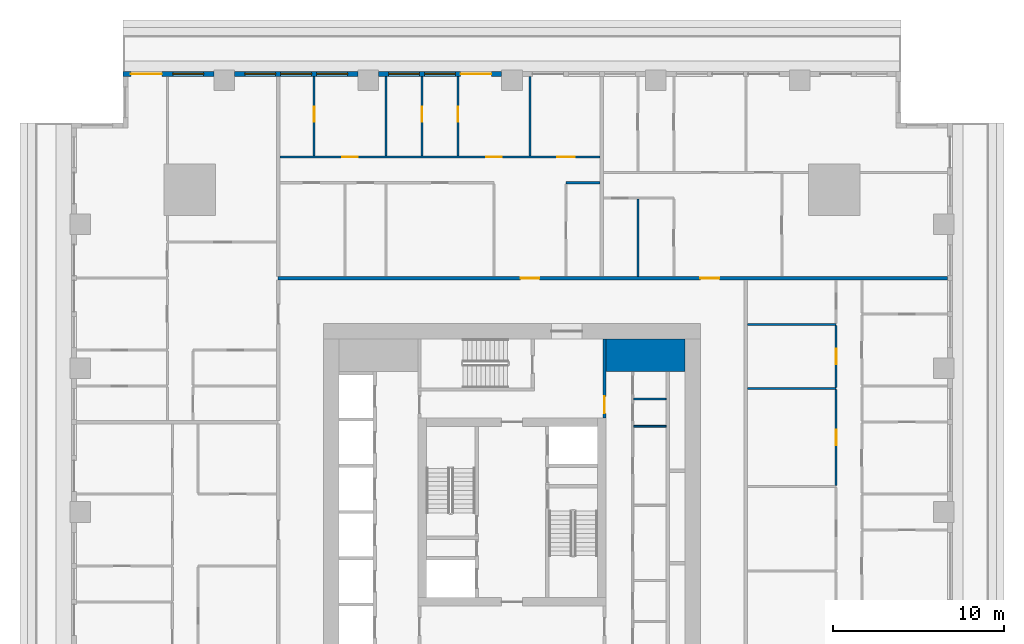
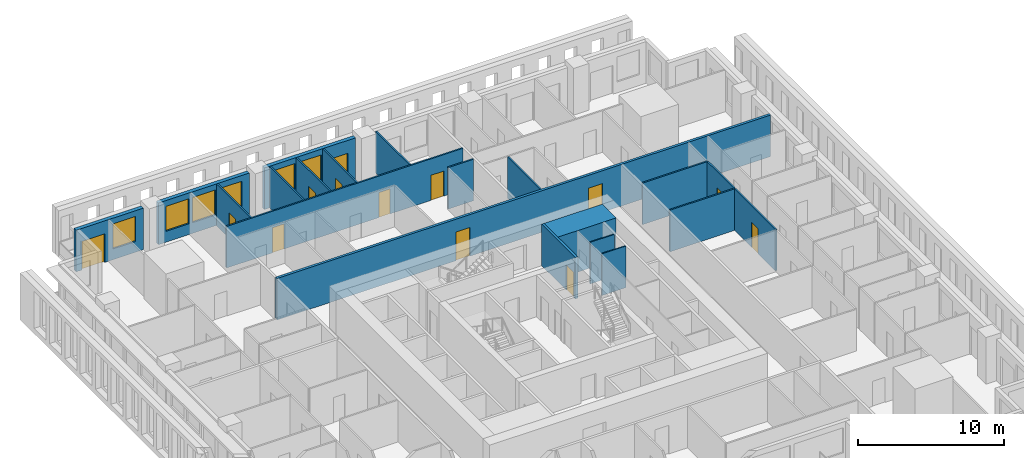
# One storey, part 8 of 15: 20 walls, 13 doors, 6 windows, 19 openings.
"""IFC4 building model written with IfcOpenShell, lengths in metres."""

from ifc_helpers import new_model, si_unit, direction, frame, frame_2d, origin, place, context, subcontext, project, spatial, rectangle, extrude, material, layer, layer_set, type_object, element, fill, save


model = new_model("IFC4")

# Units and contexts
model_context = context("Model", 3, precision=1e-05, world=origin(), true_north=direction((0.0, 1.0)))
body_context = subcontext(model_context, "Body", "Model", "MODEL_VIEW")
ifc_project = project(units=[si_unit("LENGTHUNIT", "METRE"), si_unit("AREAUNIT", "SQUARE_METRE"), si_unit("VOLUMEUNIT", "CUBIC_METRE"), si_unit("PLANEANGLEUNIT", "RADIAN"), si_unit("MASSUNIT", "GRAM", prefix="KILO")], contexts=[model_context])

# Site, building, storey
site_placement = place(None, origin())
site = spatial("IfcSite", under=ifc_project, at=site_placement, CompositionType="ELEMENT")
building_placement = place(site_placement, origin())
building = spatial("IfcBuilding", under=site, at=building_placement, Name="Khepri Terraces", CompositionType="ELEMENT")
storey_placement = place(building_placement, frame((0.0, 0.0, 58.199951171875)))
storey = spatial("IfcBuildingStorey", under=building, at=storey_placement, Name="L13", CompositionType="ELEMENT", Elevation=58.199951171875)

# Walls
ifc_material_1 = material(Name="Concrete C80/95", Category="concrete")
ifc_layer_1 = layer(ifc_material_1, 1.89990234375, Name="Concrete C80/95", Category="concrete")
ifc_layer_set_1 = layer_set([ifc_layer_1], Name="Concrete C80/95")
wall_type_1 = type_object("IfcWallType", Name="Core wall 1900 C80/95", PredefinedType="SHEAR", material=ifc_layer_set_1)
wall_1_placement = place(storey_placement, frame((5.5, 9.14990234375, 0.0), z_axis=(0.0, 0.0, 1.0), x_axis=(1.0, 0.0, 0.0)))
element("IfcWall", 1, at=wall_1_placement, inside=storey, type_object=wall_type_1, Name="Core wall PR04 L13", PredefinedType="SHEAR", context=body_context, shape_type="SweptSolid", body=[
    extrude(rectangle(XDim=4.60009765625, YDim=1.89990234375, at=frame_2d((2.300048828125, 0.0))), origin(), (0.0, 0.0, 1.0), 3.47998046875),
])
ifc_material_2 = material(Name="Fire-rated gypsum board partition")
ifc_layer_2 = layer(ifc_material_2, 0.10009765625, Name="Fire-rated gypsum board partition")
ifc_layer_set_2 = layer_set([ifc_layer_2], Name="Fire-rated gypsum board partition")
wall_type_2 = type_object("IfcWallType", Name="WL-CORE-PART-100", PredefinedType="PARTITIONING", material=ifc_layer_set_2)
for number, where, z_axis, x_axis, name in (
    (2, (7.10009765625, 5.0, 0.0), (0.0, 0.0, 1.0), (1.0, 0.0, 0.0), "Core partition PT07 L13"),
    (3, (7.10009765625, 6.60009765625, 0.0), (0.0, 0.0, 1.0), (1.0, 0.0, 0.0), "Core partition PT10 L13"),
):
    element("IfcWall", number, at=place(storey_placement, frame(where, z_axis=z_axis, x_axis=x_axis)), inside=storey, type_object=wall_type_2, Name=name, PredefinedType="PARTITIONING", context=body_context, shape_type="SweptSolid", body=[
        extrude(rectangle(XDim=1.89990234375, YDim=0.10009765625, at=frame_2d((0.949951171875, 0.0))), origin(), (0.0, 0.0, 1.0), 3.47998046875),
    ])

# Wall, opening, door
ifc_layer_3 = layer(ifc_material_2, 0.199951171875, Name="Fire-rated gypsum board partition")
ifc_layer_set_3 = layer_set([ifc_layer_3], Name="Fire-rated gypsum board partition")
wall_type_3 = type_object("IfcWallType", Name="WL-CORE-PART-200", PredefinedType="PARTITIONING", material=ifc_layer_set_3)
wall_2_placement = place(storey_placement, frame((5.39990234375, 5.5, 0.0), z_axis=(0.0, 0.0, 1.0), x_axis=(0.0, 1.0, 0.0)))
wall_2 = element("IfcWall", 4, at=wall_2_placement, inside=storey, type_object=wall_type_3, Name="Core partition PT09 L13", PredefinedType="PARTITIONING", context=body_context, shape_type="SweptSolid", body=[
    extrude(rectangle(XDim=4.60009765625, YDim=0.199951171875, at=frame_2d((2.300048828125, 0.0))), origin(), (0.0, 0.0, 1.0), 3.47998046875),
])
opening_1_placement = place(wall_2_placement, frame((0.25, 0.0, 0.0)))
opening_1 = element("IfcOpeningElement", 5, at=opening_1_placement, cuts=wall_2, Name="Opening L13-C17", PredefinedType="OPENING", context=body_context, shape_type="SweptSolid", body=[
    extrude(rectangle(XDim=1.0, YDim=2.10009765625, at=frame_2d((0.5, 1.050048828125))), frame((0.0, 0.10986328125, 0.0), z_axis=(0.0, -1.0, 0.0), x_axis=(1.0, 0.0, 0.0)), (0.0, 0.0, 1.0), 0.219970703125),
])
ifc_material_3 = material(Name="Painted steel", Category="steel")
door_type_1 = type_object("IfcDoorType", Name="DR-CORE-LOBBY-1000", OperationType="NOTDEFINED", PredefinedType="DOOR", material=ifc_material_3)
door_1_placement = place(opening_1_placement, origin())
door_1 = element("IfcDoor", 6, at=door_1_placement, inside=storey, type_object=door_type_1, Name="Lobby door L13-C17", OperationType="SINGLE_SWING_LEFT", OverallHeight=2.10009765625, OverallWidth=1.0, PredefinedType="DOOR", context=body_context, shape_type="SweptSolid", body=[
    extrude(rectangle(XDim=1.0, YDim=2.10009765625, at=frame_2d((0.5, 1.050048828125))), frame((0.0, 0.02490234375, 0.0), z_axis=(0.0, -1.0, 0.0), x_axis=(1.0, 0.0, 0.0)), (0.0, 0.0, 1.0), 0.050048828125),
])
fill(opening_1, door_1)

# Wall, openings, doors
ifc_material_4 = material(Name="Fire-rated gypsum plasterboard partition, mineral wool")
ifc_layer_4 = layer(ifc_material_4, 0.199951171875, Name="Fire-rated gypsum plasterboard partition, mineral wool")
ifc_layer_set_4 = layer_set([ifc_layer_4], Name="Fire-rated gypsum plasterboard partition, mineral wool")
wall_type_4 = type_object("IfcWallType", Name="WL-CORR-200", PredefinedType="PARTITIONING", material=ifc_layer_set_4)
wall_3_placement = place(storey_placement, frame((-13.64990234375, 13.64990234375, 0.0), z_axis=(0.0, 0.0, 1.0), x_axis=(1.0, 0.0, 0.0)))
wall_3 = element("IfcWall", 7, at=wall_3_placement, inside=storey, type_object=wall_type_4, Name="Partition P-080 L13", PredefinedType="PARTITIONING", context=body_context, shape_type="SweptSolid", body=[
    extrude(rectangle(XDim=39.06982421875, YDim=0.199951171875, at=frame_2d((19.534912109375, 0.0))), origin(), (0.0, 0.0, 1.0), 3.47998046875),
])
opening_2_placement = place(wall_3_placement, frame((24.64990234375, 0.0, 0.0)))
opening_2 = element("IfcOpeningElement", 8, at=opening_2_placement, cuts=wall_3, Name="Opening D1", PredefinedType="OPENING", context=body_context, shape_type="SweptSolid", body=[
    extrude(rectangle(XDim=1.10009765625, YDim=2.39990234375, at=frame_2d((0.550048828125, 1.199951171875))), frame((0.0, 0.10986328125, 0.0), z_axis=(0.0, -1.0, 0.0), x_axis=(1.0, 0.0, 0.0)), (0.0, 0.0, 1.0), 0.219970703125),
])
opening_3_placement = place(wall_3_placement, frame((14.14990234375, 0.0, 0.0)))
opening_3 = element("IfcOpeningElement", 9, at=opening_3_placement, cuts=wall_3, Name="Opening D1", PredefinedType="OPENING", context=body_context, shape_type="SweptSolid", body=[
    extrude(rectangle(XDim=1.10009765625, YDim=2.39990234375, at=frame_2d((0.550048828125, 1.199951171875))), frame((0.0, 0.10986328125, 0.0), z_axis=(0.0, -1.0, 0.0), x_axis=(1.0, 0.0, 0.0)), (0.0, 0.0, 1.0), 0.219970703125),
])
ifc_material_5 = material(Name="Solid-core timber door leaf, flat entrance door", Category="wood")
door_type_2 = type_object("IfcDoorType", Name="DR-ENT-1100", OperationType="NOTDEFINED", PredefinedType="DOOR", material=ifc_material_5)
door_2_placement = place(opening_2_placement, origin())
door_2 = element("IfcDoor", 10, at=door_2_placement, inside=storey, type_object=door_type_2, Name="Flat C1 entrance door", OperationType="SINGLE_SWING_RIGHT", OverallHeight=2.39990234375, OverallWidth=1.10009765625, PredefinedType="DOOR", context=body_context, shape_type="SweptSolid", body=[
    extrude(rectangle(XDim=1.10009765625, YDim=2.39990234375, at=frame_2d((0.550048828125, 1.199951171875))), frame((0.0, 0.02490234375, 0.0), z_axis=(0.0, -1.0, 0.0), x_axis=(1.0, 0.0, 0.0)), (0.0, 0.0, 1.0), 0.050048828125),
])
fill(opening_2, door_2)
door_3_placement = place(opening_3_placement, origin())
door_3 = element("IfcDoor", 11, at=door_3_placement, inside=storey, type_object=door_type_2, Name="Flat C2 entrance door", OperationType="SINGLE_SWING_LEFT", OverallHeight=2.39990234375, OverallWidth=1.10009765625, PredefinedType="DOOR", context=body_context, shape_type="SweptSolid", body=[
    extrude(rectangle(XDim=1.10009765625, YDim=2.39990234375, at=frame_2d((0.550048828125, 1.199951171875))), frame((0.0, 0.02490234375, 0.0), z_axis=(0.0, -1.0, 0.0), x_axis=(1.0, 0.0, 0.0)), (0.0, 0.0, 1.0), 0.050048828125),
])
fill(opening_3, door_3)

# Wall, openings, door, windows
ifc_material_6 = material(Name="Precast concrete C50/60 warm stone", Category="masonry")
ifc_layer_5 = layer(ifc_material_6, 0.300048828125, Name="Precast concrete C50/60 warm stone", Category="masonry")
ifc_layer_set_5 = layer_set([ifc_layer_5], Name="Precast concrete C50/60 warm stone")
wall_type_5 = type_object("IfcWallType", Name="WL-EXT-PRECAST-300", PredefinedType="STANDARD", material=ifc_layer_set_5)
wall_4_placement = place(storey_placement, frame((-0.60009765625, 25.570068359375, 0.0), z_axis=(0.0, 0.0, 1.0), x_axis=(-1.0, 0.0, 0.0)))
wall_4 = element("IfcWall", 12, at=wall_4_placement, inside=storey, type_object=wall_type_5, Name="External wall L13 N", PredefinedType="STANDARD", context=body_context, shape_type="SweptSolid", body=[
    extrude(rectangle(XDim=7.199951171875, YDim=0.300048828125, at=frame_2d((3.60009765625, 0.0))), origin(), (0.0, 0.0, 1.0), 3.47998046875),
])
opening_4_placement = place(wall_4_placement, frame((0.60009765625, 0.0, 0.0)))
opening_4 = element("IfcOpeningElement", 13, at=opening_4_placement, cuts=wall_4, Name="Opening ED-L13-09", PredefinedType="OPENING", context=body_context, shape_type="SweptSolid", body=[
    extrude(rectangle(XDim=1.800048828125, YDim=2.39990234375, at=frame_2d((0.89990234375, 1.199951171875))), frame((0.0, 0.16015625, 0.0), z_axis=(0.0, -1.0, 0.0), x_axis=(1.0, 0.0, 0.0)), (0.0, 0.0, 1.0), 0.320068359375),
])
opening_5_placement = place(wall_4_placement, frame((2.699951171875, 0.0, 0.89990234375)))
opening_5 = element("IfcOpeningElement", 14, at=opening_5_placement, cuts=wall_4, Name="Opening W1", PredefinedType="OPENING", context=body_context, shape_type="SweptSolid", body=[
    extrude(rectangle(XDim=1.800048828125, YDim=2.10009765625, at=frame_2d((0.89990234375, 1.050048828125))), frame((0.0, 0.16015625, 0.0), z_axis=(0.0, -1.0, 0.0), x_axis=(1.0, 0.0, 0.0)), (0.0, 0.0, 1.0), 0.320068359375),
])
opening_6_placement = place(wall_4_placement, frame((4.800048828125, 0.0, 0.89990234375)))
opening_6 = element("IfcOpeningElement", 15, at=opening_6_placement, cuts=wall_4, Name="Opening W1", PredefinedType="OPENING", context=body_context, shape_type="SweptSolid", body=[
    extrude(rectangle(XDim=1.800048828125, YDim=2.10009765625, at=frame_2d((0.89990234375, 1.050048828125))), frame((0.0, 0.16015625, 0.0), z_axis=(0.0, -1.0, 0.0), x_axis=(1.0, 0.0, 0.0)), (0.0, 0.0, 1.0), 0.320068359375),
])
ifc_material_7 = material(Name="Anodised aluminium bronze glazed door", Category="aluminium")
door_type_3 = type_object("IfcDoorType", Name="DR-BAL-SLIDE-1800x2400", OperationType="NOTDEFINED", PredefinedType="DOOR", material=ifc_material_7)
door_4_placement = place(opening_4_placement, origin())
door_4 = element("IfcDoor", 16, at=door_4_placement, inside=storey, type_object=door_type_3, Name="Balcony door L13 N", OperationType="SLIDING_TO_LEFT", OverallHeight=2.39990234375, OverallWidth=1.800048828125, PredefinedType="DOOR", context=body_context, shape_type="SweptSolid", body=[
    extrude(rectangle(XDim=1.800048828125, YDim=2.39990234375, at=frame_2d((0.89990234375, 1.199951171875))), frame((0.0, 0.02490234375, 0.0), z_axis=(0.0, -1.0, 0.0), x_axis=(1.0, 0.0, 0.0)), (0.0, 0.0, 1.0), 0.050048828125),
])
fill(opening_4, door_4)
ifc_material_8 = material(Name="Clear glass", Category="glass")
window_type = type_object("IfcWindowType", Name="WIN-RES-1800x2100", PartitioningType="SINGLE_PANEL", PredefinedType="WINDOW", material=ifc_material_8)
window_1_placement = place(opening_5_placement, origin())
window_1 = element("IfcWindow", 17, at=window_1_placement, inside=storey, type_object=window_type, Name="Window L13 N", OverallHeight=2.10009765625, OverallWidth=1.800048828125, PartitioningType="SINGLE_PANEL", PredefinedType="WINDOW", context=body_context, shape_type="SweptSolid", body=[
    extrude(rectangle(XDim=1.800048828125, YDim=2.10009765625, at=frame_2d((0.89990234375, 1.050048828125))), frame((0.0, 0.030029296875, 0.0), z_axis=(0.0, -1.0, 0.0), x_axis=(1.0, 0.0, 0.0)), (0.0, 0.0, 1.0), 0.06005859375),
])
fill(opening_5, window_1)
window_2_placement = place(opening_6_placement, origin())
window_2 = element("IfcWindow", 18, at=window_2_placement, inside=storey, type_object=window_type, Name="Window L13 N", OverallHeight=2.10009765625, OverallWidth=1.800048828125, PartitioningType="SINGLE_PANEL", PredefinedType="WINDOW", context=body_context, shape_type="SweptSolid", body=[
    extrude(rectangle(XDim=1.800048828125, YDim=2.10009765625, at=frame_2d((0.89990234375, 1.050048828125))), frame((0.0, 0.030029296875, 0.0), z_axis=(0.0, -1.0, 0.0), x_axis=(1.0, 0.0, 0.0)), (0.0, 0.0, 1.0), 0.06005859375),
])
fill(opening_6, window_2)

# Wall, openings, windows
wall_5_placement = place(storey_placement, frame((-9.0, 25.570068359375, 0.0), z_axis=(0.0, 0.0, 1.0), x_axis=(-1.0, 0.0, 0.0)))
wall_5 = element("IfcWall", 19, at=wall_5_placement, inside=storey, type_object=wall_type_5, Name="External wall L13 N", PredefinedType="STANDARD", context=body_context, shape_type="SweptSolid", body=[
    extrude(rectangle(XDim=7.199951171875, YDim=0.300048828125, at=frame_2d((3.60009765625, 0.0))), origin(), (0.0, 0.0, 1.0), 3.47998046875),
])
opening_7_placement = place(wall_5_placement, frame((0.60009765625, 0.0, 0.89990234375)))
opening_7 = element("IfcOpeningElement", 20, at=opening_7_placement, cuts=wall_5, Name="Opening W1", PredefinedType="OPENING", context=body_context, shape_type="SweptSolid", body=[
    extrude(rectangle(XDim=1.800048828125, YDim=2.10009765625, at=frame_2d((0.89990234375, 1.050048828125))), frame((0.0, 0.16015625, 0.0), z_axis=(0.0, -1.0, 0.0), x_axis=(1.0, 0.0, 0.0)), (0.0, 0.0, 1.0), 0.320068359375),
])
opening_8_placement = place(wall_5_placement, frame((2.699951171875, 0.0, 0.89990234375)))
opening_8 = element("IfcOpeningElement", 21, at=opening_8_placement, cuts=wall_5, Name="Opening W1", PredefinedType="OPENING", context=body_context, shape_type="SweptSolid", body=[
    extrude(rectangle(XDim=1.800048828125, YDim=2.10009765625, at=frame_2d((0.89990234375, 1.050048828125))), frame((0.0, 0.16015625, 0.0), z_axis=(0.0, -1.0, 0.0), x_axis=(1.0, 0.0, 0.0)), (0.0, 0.0, 1.0), 0.320068359375),
])
opening_9_placement = place(wall_5_placement, frame((4.800048828125, 0.0, 0.89990234375)))
opening_9 = element("IfcOpeningElement", 22, at=opening_9_placement, cuts=wall_5, Name="Opening W1", PredefinedType="OPENING", context=body_context, shape_type="SweptSolid", body=[
    extrude(rectangle(XDim=1.800048828125, YDim=2.10009765625, at=frame_2d((0.89990234375, 1.050048828125))), frame((0.0, 0.16015625, 0.0), z_axis=(0.0, -1.0, 0.0), x_axis=(1.0, 0.0, 0.0)), (0.0, 0.0, 1.0), 0.320068359375),
])
window_3_placement = place(opening_7_placement, origin())
window_3 = element("IfcWindow", 23, at=window_3_placement, inside=storey, type_object=window_type, Name="Window L13 N", OverallHeight=2.10009765625, OverallWidth=1.800048828125, PartitioningType="SINGLE_PANEL", PredefinedType="WINDOW", context=body_context, shape_type="SweptSolid", body=[
    extrude(rectangle(XDim=1.800048828125, YDim=2.10009765625, at=frame_2d((0.89990234375, 1.050048828125))), frame((0.0, 0.030029296875, 0.0), z_axis=(0.0, -1.0, 0.0), x_axis=(1.0, 0.0, 0.0)), (0.0, 0.0, 1.0), 0.06005859375),
])
fill(opening_7, window_3)
window_4_placement = place(opening_8_placement, origin())
window_4 = element("IfcWindow", 24, at=window_4_placement, inside=storey, type_object=window_type, Name="Window L13 N", OverallHeight=2.10009765625, OverallWidth=1.800048828125, PartitioningType="SINGLE_PANEL", PredefinedType="WINDOW", context=body_context, shape_type="SweptSolid", body=[
    extrude(rectangle(XDim=1.800048828125, YDim=2.10009765625, at=frame_2d((0.89990234375, 1.050048828125))), frame((0.0, 0.030029296875, 0.0), z_axis=(0.0, -1.0, 0.0), x_axis=(1.0, 0.0, 0.0)), (0.0, 0.0, 1.0), 0.06005859375),
])
fill(opening_8, window_4)
window_5_placement = place(opening_9_placement, origin())
window_5 = element("IfcWindow", 25, at=window_5_placement, inside=storey, type_object=window_type, Name="Window L13 N", OverallHeight=2.10009765625, OverallWidth=1.800048828125, PartitioningType="SINGLE_PANEL", PredefinedType="WINDOW", context=body_context, shape_type="SweptSolid", body=[
    extrude(rectangle(XDim=1.800048828125, YDim=2.10009765625, at=frame_2d((0.89990234375, 1.050048828125))), frame((0.0, 0.030029296875, 0.0), z_axis=(0.0, -1.0, 0.0), x_axis=(1.0, 0.0, 0.0)), (0.0, 0.0, 1.0), 0.06005859375),
])
fill(opening_9, window_5)

# Wall, openings, door, window
wall_6_placement = place(storey_placement, frame((-17.39990234375, 25.570068359375, 0.0), z_axis=(0.0, 0.0, 1.0), x_axis=(-1.0, 0.0, 0.0)))
wall_6 = element("IfcWall", 26, at=wall_6_placement, inside=storey, type_object=wall_type_5, Name="External wall L13 N", PredefinedType="STANDARD", context=body_context, shape_type="SweptSolid", body=[
    extrude(rectangle(XDim=5.320068359375, YDim=0.300048828125, at=frame_2d((2.66015625, 0.0))), origin(), (0.0, 0.0, 1.0), 3.47998046875),
])
opening_10_placement = place(wall_6_placement, frame((0.60009765625, 0.0, 0.89990234375)))
opening_10 = element("IfcOpeningElement", 27, at=opening_10_placement, cuts=wall_6, Name="Opening W1", PredefinedType="OPENING", context=body_context, shape_type="SweptSolid", body=[
    extrude(rectangle(XDim=1.800048828125, YDim=2.10009765625, at=frame_2d((0.89990234375, 1.050048828125))), frame((0.0, 0.16015625, 0.0), z_axis=(0.0, -1.0, 0.0), x_axis=(1.0, 0.0, 0.0)), (0.0, 0.0, 1.0), 0.320068359375),
])
opening_11_placement = place(wall_6_placement, frame((3.044921875, 0.0, 0.0)))
opening_11 = element("IfcOpeningElement", 28, at=opening_11_placement, cuts=wall_6, Name="Opening ED-L13-10", PredefinedType="OPENING", context=body_context, shape_type="SweptSolid", body=[
    extrude(rectangle(XDim=1.800048828125, YDim=2.39990234375, at=frame_2d((0.89990234375, 1.199951171875))), frame((0.0, 0.16015625, 0.0), z_axis=(0.0, -1.0, 0.0), x_axis=(1.0, 0.0, 0.0)), (0.0, 0.0, 1.0), 0.320068359375),
])
door_5_placement = place(opening_11_placement, origin())
door_5 = element("IfcDoor", 29, at=door_5_placement, inside=storey, type_object=door_type_3, Name="Balcony door L13 N", OperationType="SLIDING_TO_RIGHT", OverallHeight=2.39990234375, OverallWidth=1.800048828125, PredefinedType="DOOR", context=body_context, shape_type="SweptSolid", body=[
    extrude(rectangle(XDim=1.800048828125, YDim=2.39990234375, at=frame_2d((0.89990234375, 1.199951171875))), frame((0.0, 0.02490234375, 0.0), z_axis=(0.0, -1.0, 0.0), x_axis=(1.0, 0.0, 0.0)), (0.0, 0.0, 1.0), 0.050048828125),
])
fill(opening_11, door_5)
window_6_placement = place(opening_10_placement, origin())
window_6 = element("IfcWindow", 30, at=window_6_placement, inside=storey, type_object=window_type, Name="Window L13 N", OverallHeight=2.10009765625, OverallWidth=1.800048828125, PartitioningType="SINGLE_PANEL", PredefinedType="WINDOW", context=body_context, shape_type="SweptSolid", body=[
    extrude(rectangle(XDim=1.800048828125, YDim=2.10009765625, at=frame_2d((0.89990234375, 1.050048828125))), frame((0.0, 0.030029296875, 0.0), z_axis=(0.0, -1.0, 0.0), x_axis=(1.0, 0.0, 0.0)), (0.0, 0.0, 1.0), 0.06005859375),
])
fill(opening_10, window_6)

# Wall, opening, door
ifc_material_9 = material(Name="Gypsum plasterboard partition")
ifc_layer_6 = layer(ifc_material_9, 0.1201171875, Name="Gypsum plasterboard partition")
ifc_layer_set_6 = layer_set([ifc_layer_6], Name="Gypsum plasterboard partition")
wall_type_6 = type_object("IfcWallType", Name="WL-PART-120", PredefinedType="PARTITIONING", material=ifc_layer_set_6)
wall_7_placement = place(storey_placement, frame((18.919921875, 1.56005859375, 0.0), z_axis=(0.0, 0.0, 1.0), x_axis=(0.0, 1.0, 0.0)))
wall_7 = element("IfcWall", 31, at=wall_7_placement, inside=storey, type_object=wall_type_6, Name="Partition P-057 L13", PredefinedType="PARTITIONING", context=body_context, shape_type="SweptSolid", body=[
    extrude(rectangle(XDim=5.579833984375, YDim=0.1201171875, at=frame_2d((2.7900390625, 0.0))), origin(), (0.0, 0.0, 1.0), 3.47998046875),
])
opening_12_placement = place(wall_7_placement, frame((2.340087890625, 0.0, 0.0)))
opening_12 = element("IfcOpeningElement", 32, at=opening_12_placement, cuts=wall_7, Name="Opening D3", PredefinedType="OPENING", context=body_context, shape_type="SweptSolid", body=[
    extrude(rectangle(XDim=0.89990234375, YDim=2.10009765625, at=frame_2d((0.449951171875, 1.050048828125))), frame((0.0, 0.070068359375, 0.0), z_axis=(0.0, -1.0, 0.0), x_axis=(1.0, 0.0, 0.0)), (0.0, 0.0, 1.0), 0.14013671875),
])
ifc_material_10 = material(Name="Timber door leaf", Category="wood")
door_type_4 = type_object("IfcDoorType", Name="DR-INT-900", OperationType="NOTDEFINED", PredefinedType="DOOR", material=ifc_material_10)
door_6_placement = place(opening_12_placement, origin())
door_6 = element("IfcDoor", 33, at=door_6_placement, inside=storey, type_object=door_type_4, Name="Door Staff Bedroom", OperationType="SINGLE_SWING_LEFT", OverallHeight=2.10009765625, OverallWidth=0.89990234375, PredefinedType="DOOR", context=body_context, shape_type="SweptSolid", body=[
    extrude(rectangle(XDim=0.89990234375, YDim=2.10009765625, at=frame_2d((0.449951171875, 1.050048828125))), frame((0.0, 0.02490234375, 0.0), z_axis=(0.0, -1.0, 0.0), x_axis=(1.0, 0.0, 0.0)), (0.0, 0.0, 1.0), 0.050048828125),
])
fill(opening_12, door_6)

# Wall
wall_8_placement = place(storey_placement, frame((13.75, 7.199951171875, 0.0), z_axis=(0.0, 0.0, 1.0), x_axis=(1.0, 0.0, 0.0)))
element("IfcWall", 34, at=wall_8_placement, inside=storey, type_object=wall_type_6, Name="Partition P-064 L13", PredefinedType="PARTITIONING", context=body_context, shape_type="SweptSolid", body=[
    extrude(rectangle(XDim=5.169921875, YDim=0.1201171875, at=frame_2d((2.5849609375, 0.0))), origin(), (0.0, 0.0, 1.0), 3.47998046875),
])

# Wall, opening, door
wall_9_placement = place(storey_placement, frame((18.919921875, 7.260009765625, 0.0), z_axis=(0.0, 0.0, 1.0), x_axis=(0.0, 1.0, 0.0)))
wall_9 = element("IfcWall", 35, at=wall_9_placement, inside=storey, type_object=wall_type_6, Name="Partition P-065 L13", PredefinedType="PARTITIONING", context=body_context, shape_type="SweptSolid", body=[
    extrude(rectangle(XDim=3.6298828125, YDim=0.1201171875, at=frame_2d((1.81494140625, 0.0))), origin(), (0.0, 0.0, 1.0), 3.47998046875),
])
opening_13_placement = place(wall_9_placement, frame((1.364990234375, 0.0, 0.0)))
opening_13 = element("IfcOpeningElement", 36, at=opening_13_placement, cuts=wall_9, Name="Opening D4", PredefinedType="OPENING", context=body_context, shape_type="SweptSolid", body=[
    extrude(rectangle(XDim=0.89990234375, YDim=2.10009765625, at=frame_2d((0.449951171875, 1.050048828125))), frame((0.0, 0.070068359375, 0.0), z_axis=(0.0, -1.0, 0.0), x_axis=(1.0, 0.0, 0.0)), (0.0, 0.0, 1.0), 0.14013671875),
])
ifc_material_11 = material(Name="Timber door leaf, moisture resistant", Category="wood")
door_type_5 = type_object("IfcDoorType", Name="DR-WET-900", OperationType="NOTDEFINED", PredefinedType="DOOR", material=ifc_material_11)
door_7_placement = place(opening_13_placement, origin())
door_7 = element("IfcDoor", 37, at=door_7_placement, inside=storey, type_object=door_type_5, Name="Door Guest Bathroom", OperationType="SINGLE_SWING_LEFT", OverallHeight=2.10009765625, OverallWidth=0.89990234375, PredefinedType="DOOR", context=body_context, shape_type="SweptSolid", body=[
    extrude(rectangle(XDim=0.89990234375, YDim=2.10009765625, at=frame_2d((0.449951171875, 1.050048828125))), frame((0.0, 0.02490234375, 0.0), z_axis=(0.0, -1.0, 0.0), x_axis=(1.0, 0.0, 0.0)), (0.0, 0.0, 1.0), 0.050048828125),
])
fill(opening_13, door_7)

# Walls
wall_10_placement = place(storey_placement, frame((13.75, 10.949951171875, 0.0), z_axis=(0.0, 0.0, 1.0), x_axis=(1.0, 0.0, 0.0)))
element("IfcWall", 38, at=wall_10_placement, inside=storey, type_object=wall_type_6, Name="Partition P-075 L13", PredefinedType="PARTITIONING", context=body_context, shape_type="SweptSolid", body=[
    extrude(rectangle(XDim=5.169921875, YDim=0.1201171875, at=frame_2d((2.5849609375, 0.0))), origin(), (0.0, 0.0, 1.0), 3.47998046875),
])
wall_11_placement = place(storey_placement, frame((7.35009765625, 13.75, 0.0), z_axis=(0.0, 0.0, 1.0), x_axis=(0.0, 1.0, 0.0)))
element("IfcWall", 39, at=wall_11_placement, inside=storey, type_object=wall_type_6, Name="Partition P-088 L13", PredefinedType="PARTITIONING", context=body_context, shape_type="SweptSolid", body=[
    extrude(rectangle(XDim=4.510009765625, YDim=0.1201171875, at=frame_2d((2.2548828125, 0.0))), origin(), (0.0, 0.0, 1.0), 3.47998046875),
])
wall_12_placement = place(storey_placement, frame((3.14990234375, 19.219970703125, 0.0), z_axis=(0.0, 0.0, 1.0), x_axis=(1.0, 0.0, 0.0)))
element("IfcWall", 40, at=wall_12_placement, inside=storey, type_object=wall_type_6, Name="Partition P-095 L13", PredefinedType="PARTITIONING", context=body_context, shape_type="SweptSolid", body=[
    extrude(rectangle(XDim=2.0, YDim=0.1201171875, at=frame_2d((1.0, 0.0))), origin(), (0.0, 0.0, 1.0), 3.47998046875),
])

# Wall, openings, doors
wall_13_placement = place(storey_placement, frame((-13.550048828125, 20.719970703125, 0.0), z_axis=(0.0, 0.0, 1.0), x_axis=(1.0, 0.0, 0.0)))
wall_13 = element("IfcWall", 41, at=wall_13_placement, inside=storey, type_object=wall_type_6, Name="Partition P-102 L13", PredefinedType="PARTITIONING", context=body_context, shape_type="SweptSolid", body=[
    extrude(rectangle(XDim=18.699951171875, YDim=0.1201171875, at=frame_2d((9.35009765625, 0.0))), origin(), (0.0, 0.0, 1.0), 3.47998046875),
])
opening_14_placement = place(wall_13_placement, frame((16.199951171875, 0.0, 0.0)))
opening_14 = element("IfcOpeningElement", 42, at=opening_14_placement, cuts=wall_13, Name="Opening D2", PredefinedType="OPENING", context=body_context, shape_type="SweptSolid", body=[
    extrude(rectangle(XDim=1.0, YDim=2.10009765625, at=frame_2d((0.5, 1.050048828125))), frame((0.0, 0.070068359375, 0.0), z_axis=(0.0, -1.0, 0.0), x_axis=(1.0, 0.0, 0.0)), (0.0, 0.0, 1.0), 0.14013671875),
])
opening_15_placement = place(wall_13_placement, frame((12.050048828125, 0.0, 0.0)))
opening_15 = element("IfcOpeningElement", 43, at=opening_15_placement, cuts=wall_13, Name="Opening D3", PredefinedType="OPENING", context=body_context, shape_type="SweptSolid", body=[
    extrude(rectangle(XDim=0.89990234375, YDim=2.10009765625, at=frame_2d((0.449951171875, 1.050048828125))), frame((0.0, 0.070068359375, 0.0), z_axis=(0.0, -1.0, 0.0), x_axis=(1.0, 0.0, 0.0)), (0.0, 0.0, 1.0), 0.14013671875),
])
opening_16_placement = place(wall_13_placement, frame((3.64990234375, 0.0, 0.0)))
opening_16 = element("IfcOpeningElement", 44, at=opening_16_placement, cuts=wall_13, Name="Opening D3", PredefinedType="OPENING", context=body_context, shape_type="SweptSolid", body=[
    extrude(rectangle(XDim=0.89990234375, YDim=2.10009765625, at=frame_2d((0.449951171875, 1.050048828125))), frame((0.0, 0.070068359375, 0.0), z_axis=(0.0, -1.0, 0.0), x_axis=(1.0, 0.0, 0.0)), (0.0, 0.0, 1.0), 0.14013671875),
])
ifc_material_12 = material(Name="Timber door leaf, living room door", Category="wood")
door_type_6 = type_object("IfcDoorType", Name="DR-INT-1000", OperationType="NOTDEFINED", PredefinedType="DOOR", material=ifc_material_12)
door_8_placement = place(opening_14_placement, origin())
door_8 = element("IfcDoor", 45, at=door_8_placement, inside=storey, type_object=door_type_6, Name="Door Living Room", OperationType="SINGLE_SWING_RIGHT", OverallHeight=2.10009765625, OverallWidth=1.0, PredefinedType="DOOR", context=body_context, shape_type="SweptSolid", body=[
    extrude(rectangle(XDim=1.0, YDim=2.10009765625, at=frame_2d((0.5, 1.050048828125))), frame((0.0, 0.02490234375, 0.0), z_axis=(0.0, -1.0, 0.0), x_axis=(1.0, 0.0, 0.0)), (0.0, 0.0, 1.0), 0.050048828125),
])
fill(opening_14, door_8)
door_9_placement = place(opening_15_placement, origin())
door_9 = element("IfcDoor", 46, at=door_9_placement, inside=storey, type_object=door_type_4, Name="Door Master Bedroom", OperationType="SINGLE_SWING_RIGHT", OverallHeight=2.10009765625, OverallWidth=0.89990234375, PredefinedType="DOOR", context=body_context, shape_type="SweptSolid", body=[
    extrude(rectangle(XDim=0.89990234375, YDim=2.10009765625, at=frame_2d((0.449951171875, 1.050048828125))), frame((0.0, 0.02490234375, 0.0), z_axis=(0.0, -1.0, 0.0), x_axis=(1.0, 0.0, 0.0)), (0.0, 0.0, 1.0), 0.050048828125),
])
fill(opening_15, door_9)
door_10_placement = place(opening_16_placement, origin())
door_10 = element("IfcDoor", 47, at=door_10_placement, inside=storey, type_object=door_type_4, Name="Door Bedroom", OperationType="SINGLE_SWING_LEFT", OverallHeight=2.10009765625, OverallWidth=0.89990234375, PredefinedType="DOOR", context=body_context, shape_type="SweptSolid", body=[
    extrude(rectangle(XDim=0.89990234375, YDim=2.10009765625, at=frame_2d((0.449951171875, 1.050048828125))), frame((0.0, 0.02490234375, 0.0), z_axis=(0.0, -1.0, 0.0), x_axis=(1.0, 0.0, 0.0)), (0.0, 0.0, 1.0), 0.050048828125),
])
fill(opening_16, door_10)

# Wall, opening, door
wall_14_placement = place(storey_placement, frame((-11.550048828125, 20.780029296875, 0.0), z_axis=(0.0, 0.0, 1.0), x_axis=(0.0, 1.0, 0.0)))
wall_14 = element("IfcWall", 48, at=wall_14_placement, inside=storey, type_object=wall_type_6, Name="Partition P-103 L13", PredefinedType="PARTITIONING", context=body_context, shape_type="SweptSolid", body=[
    extrude(rectangle(XDim=4.639892578125, YDim=0.1201171875, at=frame_2d((2.31982421875, 0.0))), origin(), (0.0, 0.0, 1.0), 3.47998046875),
])
opening_17_placement = place(wall_14_placement, frame((1.989990234375, 0.0, 0.0)))
opening_17 = element("IfcOpeningElement", 49, at=opening_17_placement, cuts=wall_14, Name="Opening D4", PredefinedType="OPENING", context=body_context, shape_type="SweptSolid", body=[
    extrude(rectangle(XDim=0.89990234375, YDim=2.10009765625, at=frame_2d((0.449951171875, 1.050048828125))), frame((0.0, 0.070068359375, 0.0), z_axis=(0.0, -1.0, 0.0), x_axis=(1.0, 0.0, 0.0)), (0.0, 0.0, 1.0), 0.14013671875),
])
door_11_placement = place(opening_17_placement, origin())
door_11 = element("IfcDoor", 50, at=door_11_placement, inside=storey, type_object=door_type_5, Name="Door Bathroom", OperationType="SINGLE_SWING_RIGHT", OverallHeight=2.10009765625, OverallWidth=0.89990234375, PredefinedType="DOOR", context=body_context, shape_type="SweptSolid", body=[
    extrude(rectangle(XDim=0.89990234375, YDim=2.10009765625, at=frame_2d((0.449951171875, 1.050048828125))), frame((0.0, 0.02490234375, 0.0), z_axis=(0.0, -1.0, 0.0), x_axis=(1.0, 0.0, 0.0)), (0.0, 0.0, 1.0), 0.050048828125),
])
fill(opening_17, door_11)

# Wall
wall_15_placement = place(storey_placement, frame((-7.35009765625, 20.780029296875, 0.0), z_axis=(0.0, 0.0, 1.0), x_axis=(0.0, 1.0, 0.0)))
element("IfcWall", 51, at=wall_15_placement, inside=storey, type_object=wall_type_6, Name="Partition P-104 L13", PredefinedType="PARTITIONING", context=body_context, shape_type="SweptSolid", body=[
    extrude(rectangle(XDim=4.639892578125, YDim=0.1201171875, at=frame_2d((2.31982421875, 0.0))), origin(), (0.0, 0.0, 1.0), 3.47998046875),
])

# Wall, opening, door
wall_16_placement = place(storey_placement, frame((-5.25, 20.780029296875, 0.0), z_axis=(0.0, 0.0, 1.0), x_axis=(0.0, 1.0, 0.0)))
wall_16 = element("IfcWall", 52, at=wall_16_placement, inside=storey, type_object=wall_type_6, Name="Partition P-105 L13", PredefinedType="PARTITIONING", context=body_context, shape_type="SweptSolid", body=[
    extrude(rectangle(XDim=4.639892578125, YDim=0.1201171875, at=frame_2d((2.31982421875, 0.0))), origin(), (0.0, 0.0, 1.0), 3.47998046875),
])
opening_18_placement = place(wall_16_placement, frame((1.989990234375, 0.0, 0.0)))
opening_18 = element("IfcOpeningElement", 53, at=opening_18_placement, cuts=wall_16, Name="Opening D4", PredefinedType="OPENING", context=body_context, shape_type="SweptSolid", body=[
    extrude(rectangle(XDim=0.89990234375, YDim=2.10009765625, at=frame_2d((0.449951171875, 1.050048828125))), frame((0.0, 0.070068359375, 0.0), z_axis=(0.0, -1.0, 0.0), x_axis=(1.0, 0.0, 0.0)), (0.0, 0.0, 1.0), 0.14013671875),
])
door_12_placement = place(opening_18_placement, origin())
door_12 = element("IfcDoor", 54, at=door_12_placement, inside=storey, type_object=door_type_5, Name="Door Bathroom", OperationType="SINGLE_SWING_RIGHT", OverallHeight=2.10009765625, OverallWidth=0.89990234375, PredefinedType="DOOR", context=body_context, shape_type="SweptSolid", body=[
    extrude(rectangle(XDim=0.89990234375, YDim=2.10009765625, at=frame_2d((0.449951171875, 1.050048828125))), frame((0.0, 0.02490234375, 0.0), z_axis=(0.0, -1.0, 0.0), x_axis=(1.0, 0.0, 0.0)), (0.0, 0.0, 1.0), 0.050048828125),
])
fill(opening_18, door_12)

wall_17_placement = place(storey_placement, frame((-3.14990234375, 20.780029296875, 0.0), z_axis=(0.0, 0.0, 1.0), x_axis=(0.0, 1.0, 0.0)))
wall_17 = element("IfcWall", 55, at=wall_17_placement, inside=storey, type_object=wall_type_6, Name="Partition P-106 L13", PredefinedType="PARTITIONING", context=body_context, shape_type="SweptSolid", body=[
    extrude(rectangle(XDim=4.639892578125, YDim=0.1201171875, at=frame_2d((2.31982421875, 0.0))), origin(), (0.0, 0.0, 1.0), 3.47998046875),
])
opening_19_placement = place(wall_17_placement, frame((1.989990234375, 0.0, 0.0)))
opening_19 = element("IfcOpeningElement", 56, at=opening_19_placement, cuts=wall_17, Name="Opening D3", PredefinedType="OPENING", context=body_context, shape_type="SweptSolid", body=[
    extrude(rectangle(XDim=0.89990234375, YDim=2.10009765625, at=frame_2d((0.449951171875, 1.050048828125))), frame((0.0, 0.070068359375, 0.0), z_axis=(0.0, -1.0, 0.0), x_axis=(1.0, 0.0, 0.0)), (0.0, 0.0, 1.0), 0.14013671875),
])
door_13_placement = place(opening_19_placement, origin())
door_13 = element("IfcDoor", 57, at=door_13_placement, inside=storey, type_object=door_type_4, Name="Door Dressing Room", OperationType="SINGLE_SWING_RIGHT", OverallHeight=2.10009765625, OverallWidth=0.89990234375, PredefinedType="DOOR", context=body_context, shape_type="SweptSolid", body=[
    extrude(rectangle(XDim=0.89990234375, YDim=2.10009765625, at=frame_2d((0.449951171875, 1.050048828125))), frame((0.0, 0.02490234375, 0.0), z_axis=(0.0, -1.0, 0.0), x_axis=(1.0, 0.0, 0.0)), (0.0, 0.0, 1.0), 0.050048828125),
])
fill(opening_19, door_13)

# Wall
wall_18_placement = place(storey_placement, frame((1.050048828125, 20.780029296875, 0.0), z_axis=(0.0, 0.0, 1.0), x_axis=(0.0, 1.0, 0.0)))
element("IfcWall", 58, at=wall_18_placement, inside=storey, type_object=wall_type_6, Name="Partition P-107 L13", PredefinedType="PARTITIONING", context=body_context, shape_type="SweptSolid", body=[
    extrude(rectangle(XDim=4.639892578125, YDim=0.1201171875, at=frame_2d((2.31982421875, 0.0))), origin(), (0.0, 0.0, 1.0), 3.47998046875),
])

save(model, "model.ifc")
